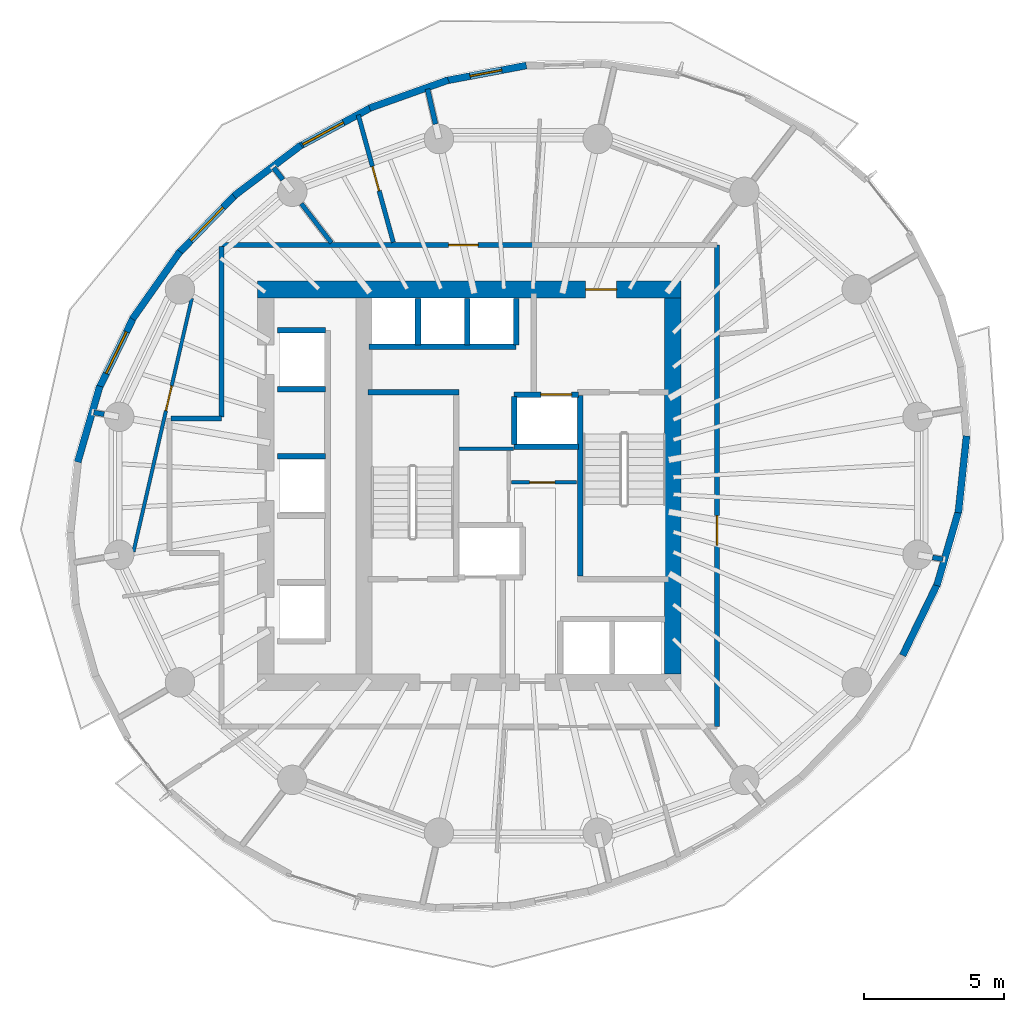
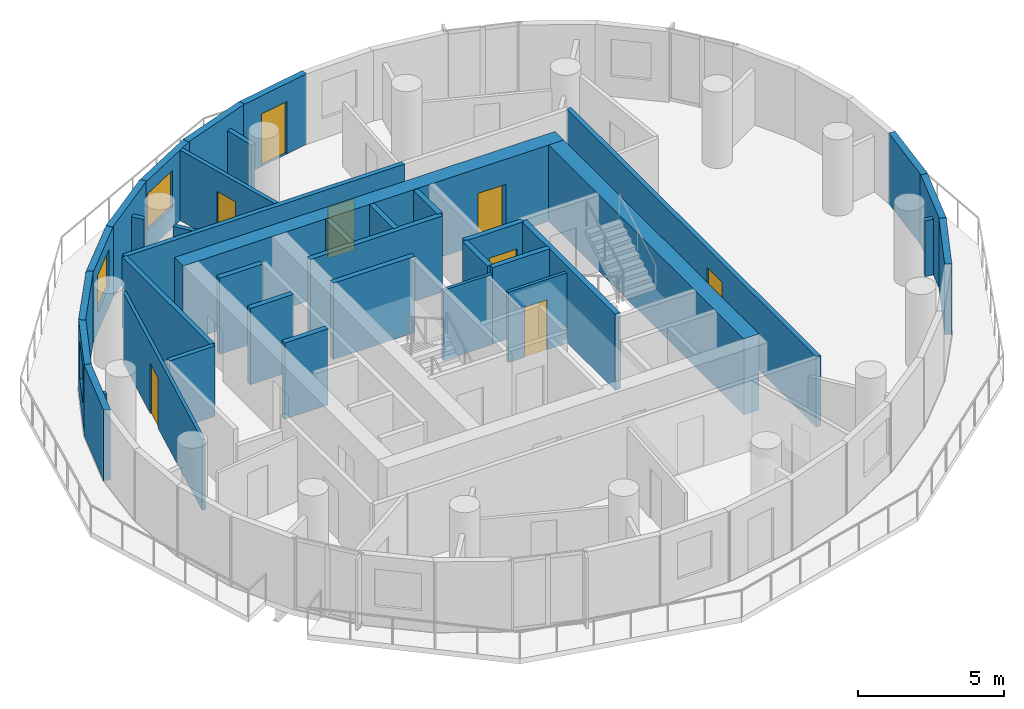
# One storey, part 6 of 12: 38 walls, 8 doors, 3 windows, 11 openings.
"""IFC4 building model written with IfcOpenShell, lengths in metres."""

from ifc_helpers import new_model, si_unit, direction, frame, frame_2d, origin, place, context, subcontext, project, spatial, rectangle, extrude, material, layer, layer_set, type_object, element, fill, save


model = new_model("IFC4")

# Units and contexts
model_context = context("Model", 3, precision=1e-05, world=origin(), true_north=direction((0.0, 1.0)))
body_context = subcontext(model_context, "Body", "Model", "MODEL_VIEW")
ifc_project = project(units=[si_unit("LENGTHUNIT", "METRE"), si_unit("AREAUNIT", "SQUARE_METRE"), si_unit("VOLUMEUNIT", "CUBIC_METRE"), si_unit("PLANEANGLEUNIT", "RADIAN"), si_unit("MASSUNIT", "GRAM", prefix="KILO")], contexts=[model_context])

# Site, building, storey
site_placement = place(None, origin())
site = spatial("IfcSite", under=ifc_project, at=site_placement, CompositionType="ELEMENT")
building_placement = place(site_placement, origin())
building = spatial("IfcBuilding", under=site, at=building_placement, Name="Veldorim Arch Residences", CompositionType="ELEMENT")
storey_placement = place(building_placement, frame((0.0, 0.0, 132.9599609375)))
storey = spatial("IfcBuildingStorey", under=building, at=storey_placement, Name="L39", CompositionType="ELEMENT", Elevation=132.9599609375)

# Wall, opening, door
ifc_material_1 = material(Name="Acoustic Gypsum Board", Category="gypsum")
ifc_layer_1 = layer(ifc_material_1, 0.125, Name="Acoustic Stud Room Partition Wall 125")
ifc_layer_set_1 = layer_set([ifc_layer_1], Name="Acoustic Gypsum Board")
wall_type_1 = type_object("IfcWallType", Name="Acoustic Stud Room Partition Wall 125", PredefinedType="PARTITIONING", material=ifc_layer_set_1)
wall_1_placement = place(storey_placement, frame((31.760009765625, 24.1201171875, 0.0), z_axis=(0.0, 0.0, 1.0), x_axis=(1.0, 0.0, 0.0)))
wall_1 = element("IfcWall", 1, at=wall_1_placement, inside=storey, type_object=wall_type_1, Name="L39 interior wall WL-CA-L39-2", PredefinedType="PARTITIONING", context=body_context, shape_type="SweptSolid", body=[
    extrude(rectangle(XDim=2.320068359375, YDim=0.125, at=frame_2d((1.16015625, 0.0))), origin(), (0.0, 0.0, 1.0), 2.955078125),
])
opening_1_placement = place(wall_1_placement, frame((0.639892578125, 0.0, 0.0)))
opening_1 = element("IfcOpeningElement", 2, at=opening_1_placement, cuts=wall_1, Name="Opening DR-SVC", PredefinedType="OPENING", context=body_context, shape_type="SweptSolid", body=[
    extrude(rectangle(XDim=0.89990234375, YDim=2.10009765625, at=frame_2d((0.449951171875, 1.050048828125))), frame((0.0, 0.072509765625, 0.0), z_axis=(0.0, -1.0, 0.0), x_axis=(1.0, 0.0, 0.0)), (0.0, 0.0, 1.0), 0.14501953125),
])
ifc_material_2 = material(Name="Fire-Rated Steel", Category="steel")
door_type_1 = type_object("IfcDoorType", Name="Riser, Shelter & Plant Room Rated Steel Door 900x2100", OperationType="SINGLE_SWING_LEFT", PredefinedType="DOOR", material=ifc_material_2)
door_1_placement = place(opening_1_placement, origin())
door_1 = element("IfcDoor", 3, at=door_1_placement, inside=storey, type_object=door_type_1, Name="L39 interior door DR-L39-CA2", OperationType="SINGLE_SWING_RIGHT", OverallHeight=2.10009765625, OverallWidth=0.89990234375, PredefinedType="DOOR", context=body_context, shape_type="SweptSolid", body=[
    extrude(rectangle(XDim=0.89990234375, YDim=2.10009765625, at=frame_2d((0.449951171875, 1.050048828125))), frame((0.0, 0.02490234375, 0.0), z_axis=(0.0, -1.0, 0.0), x_axis=(1.0, 0.0, 0.0)), (0.0, 0.0, 1.0), 0.050048828125),
])
fill(opening_1, door_1)

# Wall
wall_2_placement = place(storey_placement, frame((29.889892578125, 25.330078125, 0.0), z_axis=(0.0, 0.0, 1.0), x_axis=(1.0, 0.0, 0.0)))
element("IfcWall", 4, at=wall_2_placement, inside=storey, type_object=wall_type_1, Name="L39 interior wall WL-CA-L39-N", PredefinedType="PARTITIONING", context=body_context, shape_type="SweptSolid", body=[
    extrude(rectangle(XDim=1.940185546875, YDim=0.125, at=frame_2d((0.97021484375, 0.0))), origin(), (0.0, 0.0, 1.0), 2.955078125),
])

# Wall, opening, door
wall_3_placement = place(storey_placement, frame((18.287353515625, 21.6533203125, 0.0), z_axis=(0.0, 0.0, 1.0), x_axis=(0.2244032695, 0.974496368714, 0.0)))
wall_3 = element("IfcWall", 5, at=wall_3_placement, inside=storey, type_object=wall_type_1, Name="L39 interior wall WL-RES-L39-025", PredefinedType="PARTITIONING", context=body_context, shape_type="SweptSolid", body=[
    extrude(rectangle(XDim=9.262939453125, YDim=0.125, at=frame_2d((4.63134765625, 0.0))), origin(), (0.0, 0.0, 1.0), 2.955078125),
])
opening_2_placement = place(wall_3_placement, frame((5.161376953125, 0.0, 0.0)))
opening_2 = element("IfcOpeningElement", 6, at=opening_2_placement, cuts=wall_3, Name="Opening DR-INT", PredefinedType="OPENING", context=body_context, shape_type="SweptSolid", body=[
    extrude(rectangle(XDim=0.89990234375, YDim=2.10009765625, at=frame_2d((0.449951171875, 1.050048828125))), frame((0.0, 0.072509765625, 0.0), z_axis=(0.0, -1.0, 0.0), x_axis=(1.0, 0.0, 0.0)), (0.0, 0.0, 1.0), 0.14501953125),
])
ifc_material_3 = material(Name="Engineered Timber", Category="wood")
door_type_2 = type_object("IfcDoorType", Name="Apartment Internal Room Timber Door 900x2100", OperationType="SINGLE_SWING_LEFT", PredefinedType="DOOR", material=ifc_material_3)
door_2_placement = place(opening_2_placement, origin())
door_2 = element("IfcDoor", 7, at=door_2_placement, inside=storey, type_object=door_type_2, Name="L39 interior door DR-RES-L39-014", OperationType="SINGLE_SWING_RIGHT", OverallHeight=2.10009765625, OverallWidth=0.89990234375, PredefinedType="DOOR", context=body_context, shape_type="SweptSolid", body=[
    extrude(rectangle(XDim=0.89990234375, YDim=2.10009765625, at=frame_2d((0.449951171875, 1.050048828125))), frame((0.0, 0.02490234375, 0.0), z_axis=(0.0, -1.0, 0.0), x_axis=(1.0, 0.0, 0.0)), (0.0, 0.0, 1.0), 0.050048828125),
])
fill(opening_2, door_2)

# Walls
ifc_material_4 = material(Name="Lightweight Masonry Block & Gypsum", Category="masonry")
ifc_layer_2 = layer(ifc_material_4, 0.179931640625, Name="Compartment & Corridor Fire-Rated Party Wall 180")
ifc_layer_set_2 = layer_set([ifc_layer_2], Name="Lightweight Masonry Block & Gypsum")
wall_type_2 = type_object("IfcWallType", Name="Compartment & Corridor Fire-Rated Party Wall 180", PredefinedType="PARTITIONING", material=ifc_layer_set_2)
wall_4_placement = place(storey_placement, frame((29.049560546875, 36.88916015625, 0.0), z_axis=(0.0, 0.0, 1.0), x_axis=(-0.223093561241, 0.974797036789, 0.0)))
element("IfcWall", 8, at=wall_4_placement, inside=storey, type_object=wall_type_2, Name="L39 interior wall WL-PIER-L39-05", PredefinedType="PARTITIONING", context=body_context, shape_type="SweptSolid", body=[
    extrude(rectangle(XDim=1.282470703125, YDim=0.179931640625, at=frame_2d((0.64111328125, 0.0))), origin(), (0.0, 0.0, 1.0), 2.3359375),
])
wall_5_placement = place(storey_placement, frame((23.612060546875, 34.908447265625, 0.0), z_axis=(0.0, 0.0, 1.0), x_axis=(-0.609469486836, 0.792809526063, 0.0)))
element("IfcWall", 9, at=wall_5_placement, inside=storey, type_object=wall_type_2, Name="L39 interior wall WL-PIER-L39-06", PredefinedType="PARTITIONING", context=body_context, shape_type="SweptSolid", body=[
    extrude(rectangle(XDim=0.5380859375, YDim=0.179931640625, at=frame_2d((0.26904296875, 0.0))), origin(), (0.0, 0.0, 1.0), 2.3359375),
])
for number, where, z_axis, x_axis, name in (
    (10, (17.24169921875, 26.55078125, 0.0), (0.0, 0.0, 1.0), (-0.98535888436, 0.170493017491, 0.0), "L39 interior wall WL-PIER-L39-08"),
    (11, (46.75830078125, 21.44921875, 0.0), (0.0, 0.0, 1.0), (0.98535888436, -0.170493017491, 0.0), "L39 interior wall WL-PIER-L39-16"),
):
    element("IfcWall", number, at=place(storey_placement, frame(where, z_axis=z_axis, x_axis=x_axis)), inside=storey, type_object=wall_type_2, Name=name, PredefinedType="PARTITIONING", context=body_context, shape_type="SweptSolid", body=[
        extrude(rectangle(XDim=0.376708984375, YDim=0.179931640625, at=frame_2d((0.1884765625, 0.0))), origin(), (0.0, 0.0, 1.0), 2.3359375),
    ])

# Wall, opening, door
wall_6_placement = place(storey_placement, frame((39.080078125, 32.580078125, 0.0), z_axis=(0.0, 0.0, 1.0), x_axis=(0.0, -1.0, 0.0)))
wall_6 = element("IfcWall", 12, at=wall_6_placement, inside=storey, type_object=wall_type_2, Name="L39 interior wall WL-RES-L39-002", PredefinedType="PARTITIONING", context=body_context, shape_type="SweptSolid", body=[
    extrude(rectangle(XDim=17.16015625, YDim=0.179931640625, at=frame_2d((8.580078125, 0.0))), origin(), (0.0, 0.0, 1.0), 2.955078125),
])
opening_3_placement = place(wall_6_placement, frame((9.640380859375, 0.0, 0.0)))
opening_3 = element("IfcOpeningElement", 13, at=opening_3_placement, cuts=wall_6, Name="Opening DR-FLT", PredefinedType="OPENING", context=body_context, shape_type="SweptSolid", body=[
    extrude(rectangle(XDim=1.050048828125, YDim=2.14990234375, at=frame_2d((0.52490234375, 1.074951171875))), frame((0.0, 0.099853515625, 0.0), z_axis=(0.0, -1.0, 0.0), x_axis=(1.0, 0.0, 0.0)), (0.0, 0.0, 1.0), 0.199951171875),
])
ifc_material_5 = material(Name="Fire-Rated Timber", Category="wood")
door_type_3 = type_object("IfcDoorType", Name="Apartment Entrance Solid-Core Fire Door 1050x2150", OperationType="SINGLE_SWING_LEFT", PredefinedType="DOOR", material=ifc_material_5)
door_3_placement = place(opening_3_placement, origin())
door_3 = element("IfcDoor", 14, at=door_3_placement, inside=storey, type_object=door_type_3, Name="L39 interior door DR-RES-L39-005", OperationType="SINGLE_SWING_LEFT", OverallHeight=2.14990234375, OverallWidth=1.050048828125, PredefinedType="DOOR", context=body_context, shape_type="SweptSolid", body=[
    extrude(rectangle(XDim=1.050048828125, YDim=2.14990234375, at=frame_2d((0.52490234375, 1.074951171875))), frame((0.0, 0.02490234375, 0.0), z_axis=(0.0, -1.0, 0.0), x_axis=(1.0, 0.0, 0.0)), (0.0, 0.0, 1.0), 0.050048828125),
])
fill(opening_3, door_3)

wall_7_placement = place(storey_placement, frame((21.419921875, 32.580078125, 0.0), z_axis=(0.0, 0.0, 1.0), x_axis=(1.0, 0.0, 0.0)))
wall_7 = element("IfcWall", 15, at=wall_7_placement, inside=storey, type_object=wall_type_2, Name="L39 interior wall WL-RES-L39-004", PredefinedType="PARTITIONING", context=body_context, shape_type="SweptSolid", body=[
    extrude(rectangle(XDim=11.104736328125, YDim=0.179931640625, at=frame_2d((5.55224609375, 0.0))), origin(), (0.0, 0.0, 1.0), 2.955078125),
])
opening_4_placement = place(wall_7_placement, frame((8.0927734375, 0.0, 0.0)))
opening_4 = element("IfcOpeningElement", 16, at=opening_4_placement, cuts=wall_7, Name="Opening DR-FLT", PredefinedType="OPENING", context=body_context, shape_type="SweptSolid", body=[
    extrude(rectangle(XDim=1.050048828125, YDim=2.14990234375, at=frame_2d((0.52490234375, 1.074951171875))), frame((0.0, 0.099853515625, 0.0), z_axis=(0.0, -1.0, 0.0), x_axis=(1.0, 0.0, 0.0)), (0.0, 0.0, 1.0), 0.199951171875),
])
door_4_placement = place(opening_4_placement, origin())
door_4 = element("IfcDoor", 17, at=door_4_placement, inside=storey, type_object=door_type_3, Name="L39 interior door DR-RES-L39-007", OperationType="SINGLE_SWING_LEFT", OverallHeight=2.14990234375, OverallWidth=1.050048828125, PredefinedType="DOOR", context=body_context, shape_type="SweptSolid", body=[
    extrude(rectangle(XDim=1.050048828125, YDim=2.14990234375, at=frame_2d((0.52490234375, 1.074951171875))), frame((0.0, 0.02490234375, 0.0), z_axis=(0.0, -1.0, 0.0), x_axis=(1.0, 0.0, 0.0)), (0.0, 0.0, 1.0), 0.050048828125),
])
fill(opening_4, door_4)

# Walls
wall_8_placement = place(storey_placement, frame((19.6298828125, 26.39990234375, 0.0), z_axis=(0.0, 0.0, 1.0), x_axis=(1.0, 0.0, 0.0)))
element("IfcWall", 18, at=wall_8_placement, inside=storey, type_object=wall_type_2, Name="L39 interior wall WL-RES-L39-009", PredefinedType="PARTITIONING", context=body_context, shape_type="SweptSolid", body=[
    extrude(rectangle(XDim=1.7900390625, YDim=0.179931640625, at=frame_2d((0.89501953125, 0.0))), origin(), (0.0, 0.0, 1.0), 2.955078125),
])
wall_9_placement = place(storey_placement, frame((21.419921875, 26.4599609375, 0.0), z_axis=(0.0, 0.0, 1.0), x_axis=(0.0, 1.0, 0.0)))
element("IfcWall", 19, at=wall_9_placement, inside=storey, type_object=wall_type_2, Name="L39 interior wall WL-RES-L39-010", PredefinedType="PARTITIONING", context=body_context, shape_type="SweptSolid", body=[
    extrude(rectangle(XDim=6.06005859375, YDim=0.179931640625, at=frame_2d((3.030029296875, 0.0))), origin(), (0.0, 0.0, 1.0), 2.955078125),
])
ifc_material_6 = material(Name="Concrete C50/60", Category="concrete")
ifc_layer_3 = layer(ifc_material_6, 0.199951171875, Name="Core Stair & Lift Shaft Enclosure Wall 200")
ifc_layer_set_3 = layer_set([ifc_layer_3], Name="Concrete C50/60")
wall_type_3 = type_object("IfcWallType", Name="Core Stair & Lift Shaft Enclosure Wall 200", PredefinedType="SHEAR", material=ifc_layer_set_3)
wall_10_placement = place(storey_placement, frame((26.64990234375, 27.330078125, 0.0), z_axis=(0.0, 0.0, 1.0), x_axis=(1.0, 0.0, 0.0)))
element("IfcWall", 20, at=wall_10_placement, inside=storey, type_object=wall_type_3, Name="L39 shaft wall WL-SHF-L39-ST1-N", PredefinedType="SHEAR", context=body_context, shape_type="SweptSolid", body=[
    extrude(rectangle(XDim=3.239990234375, YDim=0.199951171875, at=frame_2d((1.6201171875, 0.0))), origin(), (0.0, 0.0, 1.0), 3.199951171875),
])
wall_11_placement = place(storey_placement, frame((34.2099609375, 20.780029296875, 0.0), z_axis=(0.0, 0.0, 1.0), x_axis=(0.0, 1.0, 0.0)))
element("IfcWall", 21, at=wall_11_placement, inside=storey, type_object=wall_type_3, Name="L39 shaft wall WL-SHF-L39-ST2-W", PredefinedType="SHEAR", context=body_context, shape_type="SweptSolid", body=[
    extrude(rectangle(XDim=6.43994140625, YDim=0.199951171875, at=frame_2d((3.219970703125, 0.0))), origin(), (0.0, 0.0, 1.0), 3.199951171875),
])

# Wall, opening, door
wall_12_placement = place(storey_placement, frame((31.85009765625, 27.25, 0.0), z_axis=(0.0, 0.0, 1.0), x_axis=(1.0, 0.0, 0.0)))
wall_12 = element("IfcWall", 22, at=wall_12_placement, inside=storey, type_object=wall_type_3, Name="L39 shaft wall WL-FL02-L39-N", PredefinedType="SHEAR", context=body_context, shape_type="SweptSolid", body=[
    extrude(rectangle(XDim=2.2998046875, YDim=0.199951171875, at=frame_2d((1.14990234375, 0.0))), origin(), (0.0, 0.0, 1.0), 3.199951171875),
])
opening_5_placement = place(wall_12_placement, frame((0.949951171875, 0.0, 0.0)))
opening_5 = element("IfcOpeningElement", 23, at=opening_5_placement, cuts=wall_12, Name="Opening LD-FF", PredefinedType="OPENING", context=body_context, shape_type="SweptSolid", body=[
    extrude(rectangle(XDim=1.10009765625, YDim=2.14990234375, at=frame_2d((0.550048828125, 1.074951171875))), frame((0.0, 0.10986328125, 0.0), z_axis=(0.0, -1.0, 0.0), x_axis=(1.0, 0.0, 0.0)), (0.0, 0.0, 1.0), 0.219970703125),
])
ifc_material_7 = material(Name="Stainless Steel", Category="steel")
door_type_4 = type_object("IfcDoorType", Name="Firefighting Lift Bi-Parting Sliding Landing Door 1100x2150", OperationType="DOUBLE_DOOR_SLIDING", PredefinedType="DOOR", material=ifc_material_7)
door_5_placement = place(opening_5_placement, origin())
door_5 = element("IfcDoor", 24, at=door_5_placement, inside=storey, type_object=door_type_4, Name="L39 lift landing door LD-L39-FL02", OperationType="DOUBLE_DOOR_SLIDING", OverallHeight=2.14990234375, OverallWidth=1.10009765625, PredefinedType="DOOR", context=body_context, shape_type="SweptSolid", body=[
    extrude(rectangle(XDim=1.10009765625, YDim=2.14990234375, at=frame_2d((0.550048828125, 1.074951171875))), frame((0.0, 0.02490234375, 0.0), z_axis=(0.0, -1.0, 0.0), x_axis=(1.0, 0.0, 0.0)), (0.0, 0.0, 1.0), 0.050048828125),
])
fill(opening_5, door_5)

# Walls
wall_13_placement = place(storey_placement, frame((31.85009765625, 25.39990234375, 0.0), z_axis=(0.0, 0.0, 1.0), x_axis=(1.0, 0.0, 0.0)))
element("IfcWall", 25, at=wall_13_placement, inside=storey, type_object=wall_type_3, Name="L39 shaft wall WL-FL02-L39-S", PredefinedType="SHEAR", context=body_context, shape_type="SweptSolid", body=[
    extrude(rectangle(XDim=2.2998046875, YDim=0.199951171875, at=frame_2d((1.14990234375, 0.0))), origin(), (0.0, 0.0, 1.0), 3.199951171875),
])
for number, where, z_axis, x_axis, name in (
    (26, (31.85009765625, 25.469970703125, 0.0), (0.0, 0.0, 1.0), (0.0, 1.0, 0.0), "L39 shaft wall WL-FL02-L39-W"),
    (27, (23.419921875, 29.5400390625, 0.0), (0.0, 0.0, 1.0), (1.0, 0.0, 0.0), "L39 shaft wall WL-B2-L39-N"),
    (28, (23.419921875, 25.06005859375, 0.0), (0.0, 0.0, 1.0), (1.0, 0.0, 0.0), "L39 shaft wall WL-B2-L39-D2A"),
    (29, (23.419921875, 27.43994140625, 0.0), (0.0, 0.0, 1.0), (1.0, 0.0, 0.0), "L39 shaft wall WL-B2-L39-D2B"),
):
    element("IfcWall", number, at=place(storey_placement, frame(where, z_axis=z_axis, x_axis=x_axis)), inside=storey, type_object=wall_type_3, Name=name, PredefinedType="SHEAR", context=body_context, shape_type="SweptSolid", body=[
        extrude(rectangle(XDim=1.7099609375, YDim=0.199951171875, at=frame_2d((0.85498046875, 0.0))), origin(), (0.0, 0.0, 1.0), 3.199951171875),
    ])
wall_14_placement = place(storey_placement, frame((26.679931640625, 28.949951171875, 0.0), z_axis=(0.0, 0.0, 1.0), x_axis=(1.0, 0.0, 0.0)))
element("IfcWall", 30, at=wall_14_placement, inside=storey, type_object=wall_type_3, Name="L39 shaft wall WL-B3-L39-S", PredefinedType="SHEAR", context=body_context, shape_type="SweptSolid", body=[
    extrude(rectangle(XDim=5.239990234375, YDim=0.199951171875, at=frame_2d((2.6201171875, 0.0))), origin(), (0.0, 0.0, 1.0), 3.199951171875),
])
for number, where, z_axis, x_axis, name in (
    (31, (31.919921875, 29.02001953125, 0.0), (0.0, 0.0, 1.0), (0.0, 1.0, 0.0), "L39 shaft wall WL-B3-L39-E"),
    (32, (28.425048828125, 29.02001953125, 0.0), (0.0, 0.0, 1.0), (0.0, 1.0, 0.0), "L39 shaft wall WL-B3-L39-D1"),
    (33, (30.175048828125, 29.02001953125, 0.0), (0.0, 0.0, 1.0), (0.0, 1.0, 0.0), "L39 shaft wall WL-B3-L39-D2"),
):
    element("IfcWall", number, at=place(storey_placement, frame(where, z_axis=z_axis, x_axis=x_axis)), inside=storey, type_object=wall_type_3, Name=name, PredefinedType="SHEAR", context=body_context, shape_type="SweptSolid", body=[
        extrude(rectangle(XDim=1.659912109375, YDim=0.199951171875, at=frame_2d((0.830078125, 0.0))), origin(), (0.0, 0.0, 1.0), 3.199951171875),
    ])

# Wall, opening, door
ifc_material_8 = material(Name="Concrete C50/60", Category="concrete")
ifc_layer_4 = layer(ifc_material_8, 0.60009765625, Name="Mid-Upper Central Core Shear Wall 600")
ifc_layer_set_4 = layer_set([ifc_layer_4], Name="Concrete C50/60")
wall_type_4 = type_object("IfcWallType", Name="Mid-Upper Central Core Shear Wall 600", PredefinedType="SHEAR", material=ifc_layer_set_4)
wall_15_placement = place(storey_placement, frame((22.699951171875, 31.0, 0.0), z_axis=(0.0, 0.0, 1.0), x_axis=(1.0, 0.0, 0.0)))
wall_15 = element("IfcWall", 34, at=wall_15_placement, inside=storey, type_object=wall_type_4, Name="L39 central core north shear wall", PredefinedType="SHEAR", context=body_context, shape_type="SweptSolid", body=[
    extrude(rectangle(XDim=15.10009765625, YDim=0.60009765625, at=frame_2d((7.550048828125, 0.0))), origin(), (0.0, 0.0, 1.0), 3.199951171875),
])
opening_6_placement = place(wall_15_placement, frame((11.699951171875, 0.0, 0.0)))
opening_6 = element("IfcOpeningElement", 35, at=opening_6_placement, cuts=wall_15, Name="Opening DR-FFL", PredefinedType="OPENING", context=body_context, shape_type="SweptSolid", body=[
    extrude(rectangle(XDim=1.10009765625, YDim=2.14990234375, at=frame_2d((0.550048828125, 1.074951171875))), frame((0.0, 0.31005859375, 0.0), z_axis=(0.0, -1.0, 0.0), x_axis=(1.0, 0.0, 0.0)), (0.0, 0.0, 1.0), 0.6201171875),
])
ifc_material_9 = material(Name="Fire-Rated Steel & Vision Glass", Category="steel")
door_type_5 = type_object("IfcDoorType", Name="Firefighting Lobby Smoke-Stop Fire Door 1100x2150", OperationType="SINGLE_SWING_LEFT", PredefinedType="DOOR", material=ifc_material_9)
door_6_placement = place(opening_6_placement, origin())
door_6 = element("IfcDoor", 36, at=door_6_placement, inside=storey, type_object=door_type_5, Name="L39 interior door DR-L39-FFL2", OperationType="SINGLE_SWING_LEFT", OverallHeight=2.14990234375, OverallWidth=1.10009765625, PredefinedType="DOOR", context=body_context, shape_type="SweptSolid", body=[
    extrude(rectangle(XDim=1.10009765625, YDim=2.14990234375, at=frame_2d((0.550048828125, 1.074951171875))), frame((0.0, 0.02490234375, 0.0), z_axis=(0.0, -1.0, 0.0), x_axis=(1.0, 0.0, 0.0)), (0.0, 0.0, 1.0), 0.050048828125),
])
fill(opening_6, door_6)

# Wall
wall_16_placement = place(storey_placement, frame((37.5, 17.300048828125, 0.0), z_axis=(0.0, 0.0, 1.0), x_axis=(0.0, 1.0, 0.0)))
element("IfcWall", 37, at=wall_16_placement, inside=storey, type_object=wall_type_4, Name="L39 central core east shear wall", PredefinedType="SHEAR", context=body_context, shape_type="SweptSolid", body=[
    extrude(rectangle(XDim=13.39990234375, YDim=0.60009765625, at=frame_2d((6.699951171875, 0.0))), origin(), (0.0, 0.0, 1.0), 3.199951171875),
])

# Wall, opening, door
ifc_material_10 = material(Name="Precast concrete C40/50", Category="concrete")
ifc_layer_5 = layer(ifc_material_10, 0.25, Name="Tower Terracotta Spandrel & Pier Wall 250")
ifc_layer_set_5 = layer_set([ifc_layer_5], Name="Precast concrete C40/50")
wall_type_5 = type_object("IfcWallType", Name="Tower Terracotta Spandrel & Pier Wall 250", PredefinedType="SOLIDWALL", material=ifc_layer_set_5)
wall_17_placement = place(storey_placement, frame((29.39892578125, 38.43359375, 0.0), z_axis=(0.0, 0.0, 1.0), x_axis=(0.982637070109, 0.185538105108, 0.0)))
wall_17 = element("IfcWall", 38, at=wall_17_placement, inside=storey, type_object=wall_type_5, Name="L39 terracotta facade wall 07", PredefinedType="SOLIDWALL", context=body_context, shape_type="SweptSolid", body=[
    extrude(rectangle(XDim=2.93701171875, YDim=0.25, at=frame_2d((1.468505859375, 0.0))), origin(), (0.0, 0.0, 1.0), 2.9599609375),
])
opening_7_placement = place(wall_17_placement, frame((0.89306640625, 0.0, 0.0)))
opening_7 = element("IfcOpeningElement", 39, at=opening_7_placement, cuts=wall_17, Name="Opening BL-DR", PredefinedType="OPENING", context=body_context, shape_type="SweptSolid", body=[
    extrude(rectangle(XDim=1.14990234375, YDim=2.199951171875, at=frame_2d((0.574951171875, 1.10009765625))), frame((0.0, 0.135009765625, 0.0), z_axis=(0.0, -1.0, 0.0), x_axis=(1.0, 0.0, 0.0)), (0.0, 0.0, 1.0), 0.27001953125),
])
ifc_material_11 = material(Name="Aluminium & Low-E Glass", Category="aluminium")
door_type_6 = type_object("IfcDoorType", Name="Glazed Planted Balcony Door 1150x2200", OperationType="SINGLE_SWING_LEFT", PredefinedType="DOOR", material=ifc_material_11)
door_7_placement = place(opening_7_placement, origin())
door_7 = element("IfcDoor", 40, at=door_7_placement, inside=storey, type_object=door_type_6, Name="L39 glazed outdoor terrace door BALC-1", OperationType="SINGLE_SWING_LEFT", OverallHeight=2.199951171875, OverallWidth=1.14990234375, PredefinedType="DOOR", context=body_context, shape_type="SweptSolid", body=[
    extrude(rectangle(XDim=1.14990234375, YDim=2.199951171875, at=frame_2d((0.574951171875, 1.10009765625))), frame((0.0, 0.02490234375, 0.0), z_axis=(0.0, -1.0, 0.0), x_axis=(1.0, 0.0, 0.0)), (0.0, 0.0, 1.0), 0.050048828125),
])
fill(opening_7, door_7)

# Wall
wall_18_placement = place(storey_placement, frame((26.70068359375, 37.461181640625, 0.0), z_axis=(0.0, 0.0, 1.0), x_axis=(0.94175304307, 0.33630522724, 0.0)))
element("IfcWall", 41, at=wall_18_placement, inside=storey, type_object=wall_type_5, Name="L39 terracotta facade wall 08", PredefinedType="SOLIDWALL", context=body_context, shape_type="SweptSolid", body=[
    extrude(rectangle(XDim=2.97705078125, YDim=0.25, at=frame_2d((1.488525390625, 0.0))), origin(), (0.0, 0.0, 1.0), 2.9599609375),
])

# Wall, opening, window
wall_19_placement = place(storey_placement, frame((24.162841796875, 36.0791015625, 0.0), z_axis=(0.0, 0.0, 1.0), x_axis=(0.879567466611, 0.475774181393, 0.0)))
wall_19 = element("IfcWall", 42, at=wall_19_placement, inside=storey, type_object=wall_type_5, Name="L39 terracotta facade wall 09", PredefinedType="SOLIDWALL", context=body_context, shape_type="SweptSolid", body=[
    extrude(rectangle(XDim=2.998291015625, YDim=0.25, at=frame_2d((1.4990234375, 0.0))), origin(), (0.0, 0.0, 1.0), 2.9599609375),
])
opening_8_placement = place(wall_19_placement, frame((0.175048828125, 0.0, 0.85009765625)))
opening_8 = element("IfcOpeningElement", 43, at=opening_8_placement, cuts=wall_19, Name="Opening WN-03", PredefinedType="OPENING", context=body_context, shape_type="SweptSolid", body=[
    extrude(rectangle(XDim=1.64990234375, YDim=1.550048828125, at=frame_2d((0.824951171875, 0.77490234375))), frame((0.0, 0.135009765625, 0.0), z_axis=(0.0, -1.0, 0.0), x_axis=(1.0, 0.0, 0.0)), (0.0, 0.0, 1.0), 0.27001953125),
])
ifc_material_12 = material(Name="Laminated Low-E Glass", Category="glass")
window_type = type_object("IfcWindowType", Name="Residential Wide Window 1650x1550", PartitioningType="SINGLE_PANEL", PredefinedType="WINDOW", material=ifc_material_12)
window_1_placement = place(opening_8_placement, origin())
window_1 = element("IfcWindow", 44, at=window_1_placement, inside=storey, type_object=window_type, Name="L39 solar-control facade window 09", OverallHeight=1.550048828125, OverallWidth=1.64990234375, PartitioningType="SINGLE_PANEL", PredefinedType="WINDOW", context=body_context, shape_type="SweptSolid", body=[
    extrude(rectangle(XDim=1.64990234375, YDim=1.550048828125, at=frame_2d((0.824951171875, 0.77490234375))), frame((0.0, 0.030029296875, 0.0), z_axis=(0.0, -1.0, 0.0), x_axis=(1.0, 0.0, 0.0)), (0.0, 0.0, 1.0), 0.06005859375),
])
fill(opening_8, window_1)

# Wall
wall_20_placement = place(storey_placement, frame((21.863037109375, 34.3291015625, 0.0), z_axis=(0.0, 0.0, 1.0), x_axis=(0.797511213298, 0.603304122863, 0.0)))
element("IfcWall", 45, at=wall_20_placement, inside=storey, type_object=wall_type_5, Name="L39 terracotta facade wall 10", PredefinedType="SOLIDWALL", context=body_context, shape_type="SweptSolid", body=[
    extrude(rectangle(XDim=2.998291015625, YDim=0.25, at=frame_2d((1.4990234375, 0.0))), origin(), (0.0, 0.0, 1.0), 2.9599609375),
])

# Wall, opening, window
wall_21_placement = place(storey_placement, frame((19.871826171875, 32.26416015625, 0.0), z_axis=(0.0, 0.0, 1.0), x_axis=(0.696240605886, 0.717808483312, 0.0)))
wall_21 = element("IfcWall", 46, at=wall_21_placement, inside=storey, type_object=wall_type_5, Name="L39 terracotta facade wall 11", PredefinedType="SOLIDWALL", context=body_context, shape_type="SweptSolid", body=[
    extrude(rectangle(XDim=2.97705078125, YDim=0.25, at=frame_2d((1.488525390625, 0.0))), origin(), (0.0, 0.0, 1.0), 2.9599609375),
])
opening_9_placement = place(wall_21_placement, frame((0.6640625, 0.0, 0.85009765625)))
opening_9 = element("IfcOpeningElement", 47, at=opening_9_placement, cuts=wall_21, Name="Opening WN-03", PredefinedType="OPENING", context=body_context, shape_type="SweptSolid", body=[
    extrude(rectangle(XDim=1.64990234375, YDim=1.550048828125, at=frame_2d((0.824951171875, 0.77490234375))), frame((0.0, 0.135009765625, 0.0), z_axis=(0.0, -1.0, 0.0), x_axis=(1.0, 0.0, 0.0)), (0.0, 0.0, 1.0), 0.27001953125),
])
window_2_placement = place(opening_9_placement, origin())
window_2 = element("IfcWindow", 48, at=window_2_placement, inside=storey, type_object=window_type, Name="L39 solar-control facade window 11", OverallHeight=1.550048828125, OverallWidth=1.64990234375, PartitioningType="SINGLE_PANEL", PredefinedType="WINDOW", context=body_context, shape_type="SweptSolid", body=[
    extrude(rectangle(XDim=1.64990234375, YDim=1.550048828125, at=frame_2d((0.824951171875, 0.77490234375))), frame((0.0, 0.030029296875, 0.0), z_axis=(0.0, -1.0, 0.0), x_axis=(1.0, 0.0, 0.0)), (0.0, 0.0, 1.0), 0.06005859375),
])
fill(opening_9, window_2)

# Wall
wall_22_placement = place(storey_placement, frame((18.25, 29.947509765625, 0.0), z_axis=(0.0, 0.0, 1.0), x_axis=(0.576020449187, 0.817435283137, 0.0)))
element("IfcWall", 49, at=wall_22_placement, inside=storey, type_object=wall_type_5, Name="L39 terracotta facade wall 12", PredefinedType="SOLIDWALL", context=body_context, shape_type="SweptSolid", body=[
    extrude(rectangle(XDim=2.936767578125, YDim=0.25, at=frame_2d((1.46826171875, 0.0))), origin(), (0.0, 0.0, 1.0), 2.9599609375),
])

# Wall, opening, window
wall_23_placement = place(storey_placement, frame((17.046875, 27.449951171875, 0.0), z_axis=(0.0, 0.0, 1.0), x_axis=(0.436882419805, 0.899518621967, 0.0)))
wall_23 = element("IfcWall", 50, at=wall_23_placement, inside=storey, type_object=wall_type_5, Name="L39 terracotta facade wall 13", PredefinedType="SOLIDWALL", context=body_context, shape_type="SweptSolid", body=[
    extrude(rectangle(XDim=2.8818359375, YDim=0.25, at=frame_2d((1.44091796875, 0.0))), origin(), (0.0, 0.0, 1.0), 2.9599609375),
])
opening_10_placement = place(wall_23_placement, frame((0.615966796875, 0.0, 0.85009765625)))
opening_10 = element("IfcOpeningElement", 51, at=opening_10_placement, cuts=wall_23, Name="Opening WN-03", PredefinedType="OPENING", context=body_context, shape_type="SweptSolid", body=[
    extrude(rectangle(XDim=1.64990234375, YDim=1.550048828125, at=frame_2d((0.824951171875, 0.77490234375))), frame((0.0, 0.135009765625, 0.0), z_axis=(0.0, -1.0, 0.0), x_axis=(1.0, 0.0, 0.0)), (0.0, 0.0, 1.0), 0.27001953125),
])
window_3_placement = place(opening_10_placement, origin())
window_3 = element("IfcWindow", 52, at=window_3_placement, inside=storey, type_object=window_type, Name="L39 solar-control facade window 13", OverallHeight=1.550048828125, OverallWidth=1.64990234375, PartitioningType="SINGLE_PANEL", PredefinedType="WINDOW", context=body_context, shape_type="SweptSolid", body=[
    extrude(rectangle(XDim=1.64990234375, YDim=1.550048828125, at=frame_2d((0.824951171875, 0.77490234375))), frame((0.0, 0.030029296875, 0.0), z_axis=(0.0, -1.0, 0.0), x_axis=(1.0, 0.0, 0.0)), (0.0, 0.0, 1.0), 0.06005859375),
])
fill(opening_10, window_3)

# Walls
wall_24_placement = place(storey_placement, frame((16.298828125, 24.847900390625, 0.0), z_axis=(0.0, 0.0, 1.0), x_axis=(0.27958078407, 0.960122172007, 0.0)))
element("IfcWall", 53, at=wall_24_placement, inside=storey, type_object=wall_type_5, Name="L39 terracotta facade wall 14", PredefinedType="SOLIDWALL", context=body_context, shape_type="SweptSolid", body=[
    extrude(rectangle(XDim=2.81787109375, YDim=0.25, at=frame_2d((1.408935546875, 0.0))), origin(), (0.0, 0.0, 1.0), 2.9599609375),
])
wall_25_placement = place(storey_placement, frame((46.953125, 20.550048828125, 0.0), z_axis=(0.0, 0.0, 1.0), x_axis=(-0.436882419805, -0.899518621967, 0.0)))
element("IfcWall", 54, at=wall_25_placement, inside=storey, type_object=wall_type_5, Name="L39 terracotta facade wall 31", PredefinedType="SOLIDWALL", context=body_context, shape_type="SweptSolid", body=[
    extrude(rectangle(XDim=2.8818359375, YDim=0.25, at=frame_2d((1.44091796875, 0.0))), origin(), (0.0, 0.0, 1.0), 2.9599609375),
])
wall_26_placement = place(storey_placement, frame((47.701171875, 23.152099609375, 0.0), z_axis=(0.0, 0.0, 1.0), x_axis=(-0.27958078407, -0.960122172007, 0.0)))
element("IfcWall", 55, at=wall_26_placement, inside=storey, type_object=wall_type_5, Name="L39 terracotta facade wall 32", PredefinedType="SOLIDWALL", context=body_context, shape_type="SweptSolid", body=[
    extrude(rectangle(XDim=2.81787109375, YDim=0.25, at=frame_2d((1.408935546875, 0.0))), origin(), (0.0, 0.0, 1.0), 2.9599609375),
])
wall_27_placement = place(storey_placement, frame((47.97119140625, 25.77880859375, 0.0), z_axis=(0.0, 0.0, 1.0), x_axis=(-0.106010014212, -0.994365062181, 0.0)))
element("IfcWall", 56, at=wall_27_placement, inside=storey, type_object=wall_type_5, Name="L39 terracotta facade wall 33", PredefinedType="SOLIDWALL", context=body_context, shape_type="SweptSolid", body=[
    extrude(rectangle(XDim=2.752197265625, YDim=0.25, at=frame_2d((1.3759765625, 0.0))), origin(), (0.0, 0.0, 1.0), 2.9599609375),
])

# Wall, opening, door
ifc_material_13 = material(Name="Moisture-Resistant Gypsum & Stud", Category="gypsum")
ifc_layer_6 = layer(ifc_material_13, 0.159912109375, Name="Wet-Area Moisture-Resistant Plumbing Wall 160")
ifc_layer_set_6 = layer_set([ifc_layer_6], Name="Moisture-Resistant Gypsum & Stud")
wall_type_6 = type_object("IfcWallType", Name="Wet-Area Moisture-Resistant Plumbing Wall 160", PredefinedType="PLUMBINGWALL", material=ifc_layer_set_6)
wall_28_placement = place(storey_placement, frame((27.545166015625, 32.676513671875, 0.0), z_axis=(0.0, 0.0, 1.0), x_axis=(-0.265393905211, 0.964140070258, 0.0)))
wall_28 = element("IfcWall", 57, at=wall_28_placement, inside=storey, type_object=wall_type_6, Name="L39 interior wall WL-RES-L39-019", PredefinedType="PLUMBINGWALL", context=body_context, shape_type="SweptSolid", body=[
    extrude(rectangle(XDim=4.708251953125, YDim=0.159912109375, at=frame_2d((2.35400390625, 0.0))), origin(), (0.0, 0.0, 1.0), 2.955078125),
])
opening_11_placement = place(wall_28_placement, frame((1.904052734375, 0.0, 0.0)))
opening_11 = element("IfcOpeningElement", 58, at=opening_11_placement, cuts=wall_28, Name="Opening DR-WC", PredefinedType="OPENING", context=body_context, shape_type="SweptSolid", body=[
    extrude(rectangle(XDim=0.89990234375, YDim=2.10009765625, at=frame_2d((0.449951171875, 1.050048828125))), frame((0.0, 0.08984375, 0.0), z_axis=(0.0, -1.0, 0.0), x_axis=(1.0, 0.0, 0.0)), (0.0, 0.0, 1.0), 0.179931640625),
])
ifc_material_14 = material(Name="Laminate Timber", Category="wood")
door_type_7 = type_object("IfcDoorType", Name="Bathroom & Accessible WC Moisture-Sealed Door 900x2100", OperationType="SINGLE_SWING_LEFT", PredefinedType="DOOR", material=ifc_material_14)
door_8_placement = place(opening_11_placement, origin())
door_8 = element("IfcDoor", 59, at=door_8_placement, inside=storey, type_object=door_type_7, Name="L39 interior door DR-RES-L39-008", OperationType="SINGLE_SWING_RIGHT", OverallHeight=2.10009765625, OverallWidth=0.89990234375, PredefinedType="DOOR", context=body_context, shape_type="SweptSolid", body=[
    extrude(rectangle(XDim=0.89990234375, YDim=2.10009765625, at=frame_2d((0.449951171875, 1.050048828125))), frame((0.0, 0.02490234375, 0.0), z_axis=(0.0, -1.0, 0.0), x_axis=(1.0, 0.0, 0.0)), (0.0, 0.0, 1.0), 0.050048828125),
])
fill(opening_11, door_8)

# Wall
wall_29_placement = place(storey_placement, frame((25.341552734375, 32.6591796875, 0.0), z_axis=(0.0, 0.0, 1.0), x_axis=(-0.609536601946, 0.792757927042, 0.0)))
element("IfcWall", 60, at=wall_29_placement, inside=storey, type_object=wall_type_6, Name="L39 interior wall WL-RES-L39-021", PredefinedType="PLUMBINGWALL", context=body_context, shape_type="SweptSolid", body=[
    extrude(rectangle(XDim=1.761474609375, YDim=0.159912109375, at=frame_2d((0.880859375, 0.0))), origin(), (0.0, 0.0, 1.0), 2.3359375),
])

save(model, "model.ifc")
